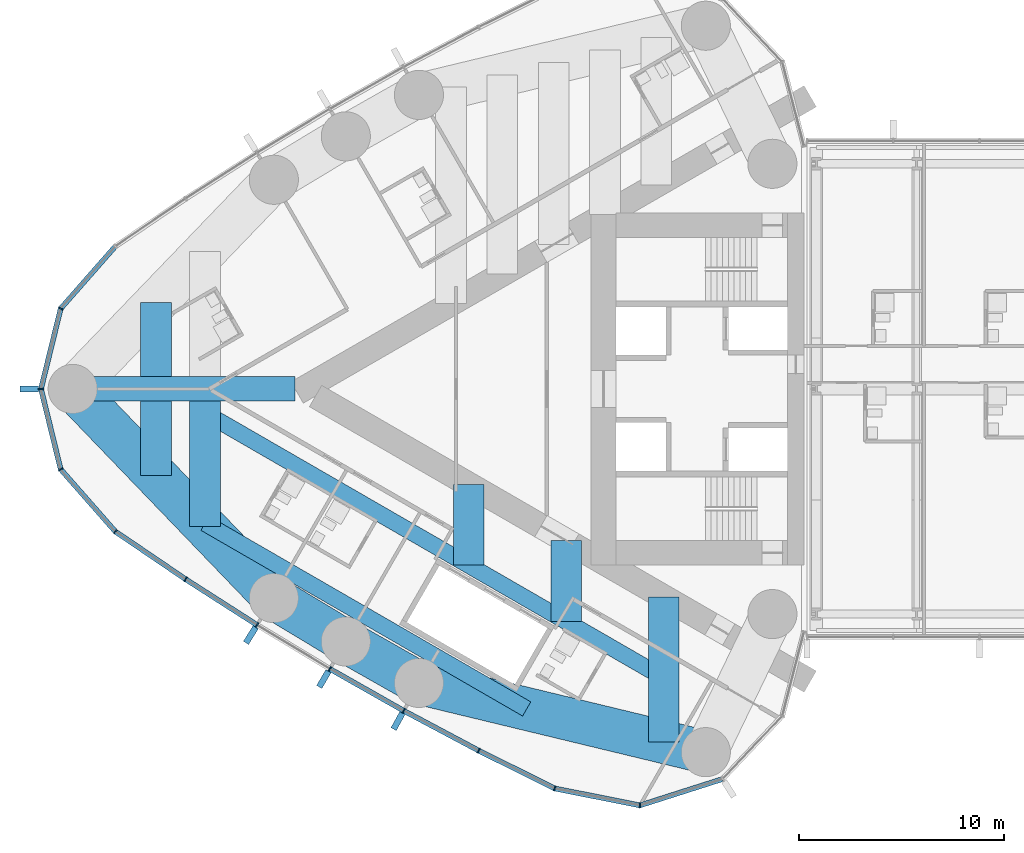
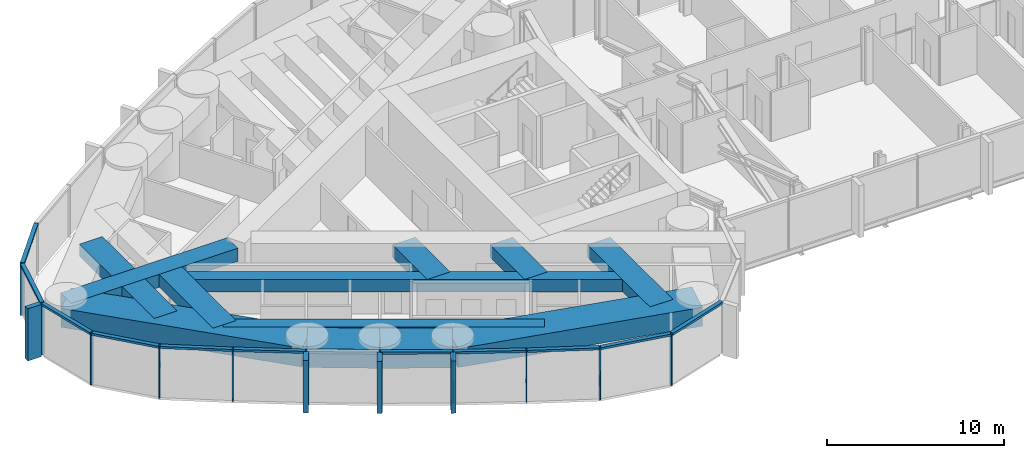
# One storey, part 2 of 22: 26 members, 13 beams, 1 element without a shape of its own.
"""IFC4 building model written with IfcOpenShell, lengths in metres."""

from ifc_helpers import new_model, si_unit, direction, frame, origin, origin_2d, place, context, subcontext, project, spatial, rectangle, hollow_rectangle, extrude, material, material_profile, profile_set, type_object, element, aggregate, save


model = new_model("IFC4")

# Units and contexts
model_context = context("Model", 3, precision=1e-05, world=origin(), true_north=direction((0.0, 1.0)))
body_context = subcontext(model_context, "Body", "Model", "MODEL_VIEW")
ifc_project = project(units=[si_unit("LENGTHUNIT", "METRE"), si_unit("AREAUNIT", "SQUARE_METRE"), si_unit("VOLUMEUNIT", "CUBIC_METRE"), si_unit("PLANEANGLEUNIT", "RADIAN"), si_unit("MASSUNIT", "GRAM", prefix="KILO")], contexts=[model_context])

# Site, building, storey
site_placement = place(None, origin())
site = spatial("IfcSite", under=ifc_project, at=site_placement, CompositionType="ELEMENT")
building_placement = place(site_placement, origin())
building = spatial("IfcBuilding", under=site, at=building_placement, Name="Lancet Gate Hotel", CompositionType="ELEMENT")
storey_placement = place(building_placement, frame((0.0, 0.0, 229.699951171875)))
storey = spatial("IfcBuildingStorey", under=building, at=storey_placement, Name="L61", CompositionType="ELEMENT", Elevation=229.699951171875)

# Curtain wall, members
ifc_material_1 = material(Name="Aluminium curtain wall", Category="aluminium")
curtain_wall_type = type_object("IfcCurtainWallType", Name="Tower unitised curtain wall", PredefinedType="USERDEFINED", material=ifc_material_1)
curtain_wall_placement = place(storey_placement, origin())
curtain_wall = element("IfcCurtainWall", 1, at=curtain_wall_placement, inside=storey, type_object=curtain_wall_type, Name="T1 L61 curtain wall 1", ObjectType="UNITISED CURTAIN WALL", PredefinedType="USERDEFINED")
ifc_material_2 = material(Name="Aluminium mullion", Category="aluminium")
ifc_material_profile_1 = material_profile(ifc_material_2, rectangle(XDim=0.06494140625, YDim=0.25, at=origin_2d()), Name="MULLION 65x250")
ifc_profile_set_1 = profile_set([ifc_material_profile_1], Name="Aluminium mullion")
member_type_1 = type_object("IfcMemberType", Name="Aluminium mullion 65x250", PredefinedType="MULLION", material=ifc_profile_set_1)
member_1_placement = place(storey_placement, frame((-63.822021484375, 3.928466796875, 0.0), z_axis=(0.0, 0.0, 1.0), x_axis=(-0.46217799743, -0.886787177789, 0.0)))
member_1 = element("IfcMember", 2, at=member_1_placement, type_object=member_type_1, Name="T1 L61 curtain wall 1 mullion 12", PredefinedType="MULLION", context=body_context, shape_type="SweptSolid", body=[
    extrude(rectangle(XDim=0.06494140625, YDim=0.25, at=origin_2d()), origin(), (0.0, 0.0, 1.0), 3.60009765625),
])
member_2_placement = place(storey_placement, frame((-64.7841796875, 0.0, 0.0), z_axis=(0.0, 0.0, 1.0), x_axis=(0.0, -1.0, 0.0)))
member_2 = element("IfcMember", 3, at=member_2_placement, type_object=member_type_1, Name="T1 L61 curtain wall 1 mullion 13", PredefinedType="MULLION", context=body_context, shape_type="SweptSolid", body=[
    extrude(rectangle(XDim=0.06494140625, YDim=0.25, at=origin_2d()), origin(), (0.0, 0.0, 1.0), 3.60009765625),
])
member_3_placement = place(storey_placement, frame((-63.822021484375, -3.928466796875, 0.0), z_axis=(0.0, 0.0, 1.0), x_axis=(0.46217799743, -0.886787177789, 0.0)))
member_3 = element("IfcMember", 4, at=member_3_placement, type_object=member_type_1, Name="T1 L61 curtain wall 1 mullion 14", PredefinedType="MULLION", context=body_context, shape_type="SweptSolid", body=[
    extrude(rectangle(XDim=0.06494140625, YDim=0.25, at=origin_2d()), origin(), (0.0, 0.0, 1.0), 3.60009765625),
])
member_4_placement = place(storey_placement, frame((-61.15283203125, -6.967529296875, 0.0), z_axis=(0.0, 0.0, 1.0), x_axis=(0.750715604757, -0.660625522345, 0.0)))
member_4 = element("IfcMember", 5, at=member_4_placement, type_object=member_type_1, Name="T1 L61 curtain wall 1 mullion 15", PredefinedType="MULLION", context=body_context, shape_type="SweptSolid", body=[
    extrude(rectangle(XDim=0.06494140625, YDim=0.25, at=origin_2d()), origin(), (0.0, 0.0, 1.0), 3.60009765625),
])
member_5_placement = place(storey_placement, frame((-57.72021484375, -9.298095703125, 0.0), z_axis=(0.0, 0.0, 1.0), x_axis=(0.834827178542, -0.550512108829, 0.0)))
member_5 = element("IfcMember", 6, at=member_5_placement, type_object=member_type_1, Name="T1 L61 curtain wall 1 mullion 16", PredefinedType="MULLION", context=body_context, shape_type="SweptSolid", body=[
    extrude(rectangle(XDim=0.06494140625, YDim=0.25, at=origin_2d()), origin(), (0.0, 0.0, 1.0), 3.60009765625),
])
member_6_placement = place(storey_placement, frame((-54.225830078125, -11.535400390625, 0.0), z_axis=(0.0, 0.0, 1.0), x_axis=(0.849342388216, -0.527842313176, 0.0)))
member_6 = element("IfcMember", 7, at=member_6_placement, type_object=member_type_1, Name="T1 L61 curtain wall 1 mullion 17", PredefinedType="MULLION", context=body_context, shape_type="SweptSolid", body=[
    extrude(rectangle(XDim=0.06494140625, YDim=0.25, at=origin_2d()), origin(), (0.0, 0.0, 1.0), 3.60009765625),
])
member_7_placement = place(storey_placement, frame((-50.67236328125, -13.677978515625, 0.0), z_axis=(0.0, 0.0, 1.0), x_axis=(0.863242155108, -0.504790037189, 0.0)))
member_7 = element("IfcMember", 8, at=member_7_placement, type_object=member_type_1, Name="T1 L61 curtain wall 1 mullion 18", PredefinedType="MULLION", context=body_context, shape_type="SweptSolid", body=[
    extrude(rectangle(XDim=0.06494140625, YDim=0.25, at=origin_2d()), origin(), (0.0, 0.0, 1.0), 3.60009765625),
])
member_8_placement = place(storey_placement, frame((-47.062744140625, -15.72412109375, 0.0), z_axis=(0.0, 0.0, 1.0), x_axis=(0.876516407283, -0.481371984815, 0.0)))
member_8 = element("IfcMember", 9, at=member_8_placement, type_object=member_type_1, Name="T1 L61 curtain wall 1 mullion 19", PredefinedType="MULLION", context=body_context, shape_type="SweptSolid", body=[
    extrude(rectangle(XDim=0.06494140625, YDim=0.25, at=origin_2d()), origin(), (0.0, 0.0, 1.0), 3.60009765625),
])
member_9_placement = place(storey_placement, frame((-43.3994140625, -17.67236328125, 0.0), z_axis=(0.0, 0.0, 1.0), x_axis=(0.889155526065, -0.457605125046, 0.0)))
member_9 = element("IfcMember", 10, at=member_9_placement, type_object=member_type_1, Name="T1 L61 curtain wall 1 mullion 20", PredefinedType="MULLION", context=body_context, shape_type="SweptSolid", body=[
    extrude(rectangle(XDim=0.06494140625, YDim=0.25, at=origin_2d()), origin(), (0.0, 0.0, 1.0), 3.60009765625),
])
member_10_placement = place(storey_placement, frame((-39.684814453125, -19.521240234375, 0.0), z_axis=(0.0, 0.0, 1.0), x_axis=(0.946887706423, -0.321564412561, 0.0)))
member_10 = element("IfcMember", 11, at=member_10_placement, type_object=member_type_1, Name="T1 L61 curtain wall 1 mullion 21", PredefinedType="MULLION", context=body_context, shape_type="SweptSolid", body=[
    extrude(rectangle(XDim=0.06494140625, YDim=0.25, at=origin_2d()), origin(), (0.0, 0.0, 1.0), 3.60009765625),
])
member_11_placement = place(storey_placement, frame((-35.520751953125, -20.347900390625, 0.0), z_axis=(0.0, 0.0, 1.0), x_axis=(0.998409168318, 0.056383797491, 0.0)))
member_11 = element("IfcMember", 12, at=member_11_placement, type_object=member_type_1, Name="T1 L61 curtain wall 1 mullion 22", PredefinedType="MULLION", context=body_context, shape_type="SweptSolid", body=[
    extrude(rectangle(XDim=0.06494140625, YDim=0.25, at=origin_2d()), origin(), (0.0, 0.0, 1.0), 3.60009765625),
])
ifc_material_3 = material(Name="Aluminium transom", Category="aluminium")
ifc_material_profile_2 = material_profile(ifc_material_3, rectangle(XDim=0.25, YDim=0.14990234375, at=origin_2d()), Name="TRANSOM 250x150")
ifc_profile_set_2 = profile_set([ifc_material_profile_2], Name="Aluminium transom")
member_type_2 = type_object("IfcMemberType", Name="Aluminium transom 250x150", PredefinedType="USERDEFINED", material=ifc_profile_set_2)
member_12_placement = place(storey_placement, frame((-61.17431640625, 6.943115234375, 3.525146484375), z_axis=(-0.659893258593, -0.751359359603, 0.0), x_axis=(0.751359359603, -0.659893258593, 0.0)))
member_12 = element("IfcMember", 13, at=member_12_placement, type_object=member_type_2, Name="T1 L61 curtain wall 1 transom 11", ObjectType="TRANSOM", PredefinedType="USERDEFINED", context=body_context, shape_type="SweptSolid", body=[
    extrude(rectangle(XDim=0.25, YDim=0.14990234375, at=origin_2d()), origin(), (0.0, 0.0, 1.0), 3.979736328125),
])
member_13_placement = place(storey_placement, frame((-63.829833984375, 3.89697265625, 3.525146484375), z_axis=(-0.237899438372, -0.971289790548, 0.0), x_axis=(0.971289790548, -0.237899438372, 0.0)))
member_13 = element("IfcMember", 14, at=member_13_placement, type_object=member_type_2, Name="T1 L61 curtain wall 1 transom 12", ObjectType="TRANSOM", PredefinedType="USERDEFINED", context=body_context, shape_type="SweptSolid", body=[
    extrude(rectangle(XDim=0.25, YDim=0.14990234375, at=origin_2d()), origin(), (0.0, 0.0, 1.0), 3.979736328125),
])
member_14_placement = place(storey_placement, frame((-64.776611328125, -0.031494140625, 3.525146484375), z_axis=(0.237899438372, -0.971289790548, 0.0), x_axis=(0.971289790548, 0.237899438372, 0.0)))
member_14 = element("IfcMember", 15, at=member_14_placement, type_object=member_type_2, Name="T1 L61 curtain wall 1 transom 13", ObjectType="TRANSOM", PredefinedType="USERDEFINED", context=body_context, shape_type="SweptSolid", body=[
    extrude(rectangle(XDim=0.25, YDim=0.14990234375, at=origin_2d()), origin(), (0.0, 0.0, 1.0), 3.979736328125),
])
member_15_placement = place(storey_placement, frame((-63.800537109375, -3.952880859375, 3.525146484375), z_axis=(0.659893258593, -0.751359359603, 0.0), x_axis=(0.751359359603, 0.659893258593, 0.0)))
member_15 = element("IfcMember", 16, at=member_15_placement, type_object=member_type_2, Name="T1 L61 curtain wall 1 transom 14", ObjectType="TRANSOM", PredefinedType="USERDEFINED", context=body_context, shape_type="SweptSolid", body=[
    extrude(rectangle(XDim=0.25, YDim=0.14990234375, at=origin_2d()), origin(), (0.0, 0.0, 1.0), 3.979736328125),
])
member_16_placement = place(storey_placement, frame((-61.1259765625, -6.98583984375, 3.525146484375), z_axis=(0.827348780456, -0.561688521761, 0.0), x_axis=(0.561688521761, 0.827348780456, 0.0)))
member_16 = element("IfcMember", 17, at=member_16_placement, type_object=member_type_2, Name="T1 L61 curtain wall 1 transom 15", ObjectType="TRANSOM", PredefinedType="USERDEFINED", context=body_context, shape_type="SweptSolid", body=[
    extrude(rectangle(XDim=0.25, YDim=0.14990234375, at=origin_2d()), origin(), (0.0, 0.0, 1.0), 4.083984375),
])
member_17_placement = place(storey_placement, frame((-57.692626953125, -9.315673828125, 3.525146484375), z_axis=(0.842144358733, -0.539252147937, 0.0), x_axis=(0.539252147937, 0.842144358733, 0.0)))
member_17 = element("IfcMember", 18, at=member_17_placement, type_object=member_type_2, Name="T1 L61 curtain wall 1 transom 16", ObjectType="TRANSOM", PredefinedType="USERDEFINED", context=body_context, shape_type="SweptSolid", body=[
    extrude(rectangle(XDim=0.25, YDim=0.14990234375, at=origin_2d()), origin(), (0.0, 0.0, 1.0), 4.084228515625),
])
member_18_placement = place(storey_placement, frame((-50.644287109375, -13.694091796875, 3.525146484375), z_axis=(0.869977740049, -0.493090997503, 0.0), x_axis=(0.493090997503, 0.869977740049, 0.0)))
member_18 = element("IfcMember", 19, at=member_18_placement, type_object=member_type_2, Name="T1 L61 curtain wall 1 transom 18", ObjectType="TRANSOM", PredefinedType="USERDEFINED", context=body_context, shape_type="SweptSolid", body=[
    extrude(rectangle(XDim=0.25, YDim=0.14990234375, at=origin_2d()), origin(), (0.0, 0.0, 1.0), 4.084228515625),
])
member_19_placement = place(storey_placement, frame((-47.0341796875, -15.739501953125, 3.525146484375), z_axis=(0.882944619844, -0.469477154171, 0.0), x_axis=(0.469477154171, 0.882944619844, 0.0)))
member_19 = element("IfcMember", 20, at=member_19_placement, type_object=member_type_2, Name="T1 L61 curtain wall 1 transom 19", ObjectType="TRANSOM", PredefinedType="USERDEFINED", context=body_context, shape_type="SweptSolid", body=[
    extrude(rectangle(XDim=0.25, YDim=0.14990234375, at=origin_2d()), origin(), (0.0, 0.0, 1.0), 4.084228515625),
])
member_20_placement = place(storey_placement, frame((-43.370361328125, -17.686767578125, 3.525146484375), z_axis=(0.895226720479, -0.445610950202, 0.0), x_axis=(0.445610950202, 0.895226720479, 0.0)))
member_20 = element("IfcMember", 21, at=member_20_placement, type_object=member_type_2, Name="T1 L61 curtain wall 1 transom 20", ObjectType="TRANSOM", PredefinedType="USERDEFINED", context=body_context, shape_type="SweptSolid", body=[
    extrude(rectangle(XDim=0.25, YDim=0.14990234375, at=origin_2d()), origin(), (0.0, 0.0, 1.0), 4.08447265625),
])
member_21_placement = place(storey_placement, frame((-39.65283203125, -19.527587890625, 3.525146484375), z_axis=(0.980858234867, -0.194723196085, 0.0), x_axis=(0.194723196085, 0.980858234867, 0.0)))
member_21 = element("IfcMember", 22, at=member_21_placement, type_object=member_type_2, Name="T1 L61 curtain wall 1 transom 21", ObjectType="TRANSOM", PredefinedType="USERDEFINED", context=body_context, shape_type="SweptSolid", body=[
    extrude(rectangle(XDim=0.25, YDim=0.14990234375, at=origin_2d()), origin(), (0.0, 0.0, 1.0), 4.18017578125),
])
member_22_placement = place(storey_placement, frame((-35.48974609375, -20.338134765625, 3.525146484375), z_axis=(0.952697713775, 0.303919506068, 0.0), x_axis=(-0.303919506068, 0.952697713775, 0.0)))
member_22 = element("IfcMember", 23, at=member_22_placement, type_object=member_type_2, Name="T1 L61 curtain wall 1 transom 22", ObjectType="TRANSOM", PredefinedType="USERDEFINED", context=body_context, shape_type="SweptSolid", body=[
    extrude(rectangle(XDim=0.25, YDim=0.14990234375, at=origin_2d()), origin(), (0.0, 0.0, 1.0), 4.180419921875),
])

# Beams
ifc_material_4 = material(Name="Concrete C50/60", Category="concrete")
ifc_material_profile_3 = material_profile(ifc_material_4, rectangle(XDim=2.10009765625, YDim=1.300048828125, at=origin_2d()), Name="RC 2100x1300")
ifc_profile_set_3 = profile_set([ifc_material_profile_3], Name="Concrete C50/60")
beam_type_1 = type_object("IfcBeamType", Name="Edge beam RC 2100x1300", PredefinedType="SPANDREL", material=ifc_profile_set_3)
beam_1_placement = place(storey_placement, frame((-63.234375, 0.0, 2.699951171875), z_axis=(0.693134527053, -0.720808245934, 0.0), x_axis=(0.720808245934, 0.693134527053, 0.0)))
element("IfcBeam", 24, at=beam_1_placement, inside=storey, type_object=beam_type_1, Name="T1 edge beam EB1 L61", PredefinedType="SPANDREL", context=body_context, shape_type="SweptSolid", body=[
    extrude(rectangle(XDim=2.10009765625, YDim=1.300048828125, at=origin_2d()), origin(), (0.0, 0.0, 1.0), 14.17724609375),
])
for number, where, z_axis, x_axis, name in (
    (25, (-53.40771484375, -10.218994140625, 2.699951171875), (0.856358061538, -0.516382484636, 0.0), (0.516382484636, 0.856358061538, 0.0), "T1 edge beam EB1 L61"),
    (26, (-49.89013671875, -12.340087890625, 2.699951171875), (0.869978841992, -0.493089053301, 0.0), (0.493089053301, 0.869978841992, 0.0), "T1 edge beam EB1 L61"),
):
    element("IfcBeam", number, at=place(storey_placement, frame(where, z_axis=z_axis, x_axis=x_axis)), inside=storey, type_object=beam_type_1, Name=name, PredefinedType="SPANDREL", context=body_context, shape_type="SweptSolid", body=[
        extrude(rectangle(XDim=2.10009765625, YDim=1.300048828125, at=origin_2d()), origin(), (0.0, 0.0, 1.0), 4.107666015625),
    ])
beam_2_placement = place(storey_placement, frame((-46.316650390625, -14.365478515625, 2.699951171875), z_axis=(0.972132796948, -0.234430853556, 0.0), x_axis=(0.234430853556, 0.972132796948, 0.0)))
element("IfcBeam", 27, at=beam_2_placement, inside=storey, type_object=beam_type_1, Name="T1 edge beam EB1 L61", PredefinedType="SPANDREL", context=body_context, shape_type="SweptSolid", body=[
    extrude(rectangle(XDim=2.10009765625, YDim=1.300048828125, at=origin_2d()), origin(), (0.0, 0.0, 1.0), 14.41748046875),
])

# Member
ifc_material_5 = material(Name="Precast concrete C50/60", Category="concrete")
ifc_material_profile_4 = material_profile(ifc_material_5, rectangle(XDim=0.300048828125, YDim=0.89990234375, at=origin_2d()), Name="FIN 300x900")
ifc_profile_set_4 = profile_set([ifc_material_profile_4], Name="Precast concrete C50/60")
member_type_3 = type_object("IfcMemberType", Name="Exposed concrete fin 300x900", PredefinedType="USERDEFINED", material=ifc_profile_set_4)
member_23_placement = place(storey_placement, frame((-65.359375, 0.0, 0.0), z_axis=(0.0, 0.0, 1.0), x_axis=(0.0, -1.0, 0.0)))
member_23 = element("IfcMember", 28, at=member_23_placement, type_object=member_type_3, Name="T1 L61 curtain wall 1 fin 13", ObjectType="FIN", PredefinedType="USERDEFINED", context=body_context, shape_type="SweptSolid", body=[
    extrude(rectangle(XDim=0.300048828125, YDim=0.89990234375, at=origin_2d()), origin(), (0.0, 0.0, 1.0), 3.60009765625),
])

member_24_placement = place(storey_placement, frame((-54.529296875, -12.02392578125, 0.0), z_axis=(0.0, 0.0, 1.0), x_axis=(0.849342388216, -0.527842313176, 0.0)))
member_24 = element("IfcMember", 29, at=member_24_placement, type_object=member_type_3, Name="T1 L61 curtain wall 1 fin 17", ObjectType="FIN", PredefinedType="USERDEFINED", context=body_context, shape_type="SweptSolid", body=[
    extrude(rectangle(XDim=0.300048828125, YDim=0.89990234375, at=origin_2d()), origin(), (0.0, 0.0, 1.0), 3.60009765625),
])

member_25_placement = place(storey_placement, frame((-50.962646484375, -14.17431640625, 0.0), z_axis=(0.0, 0.0, 1.0), x_axis=(0.863242155108, -0.504790037189, 0.0)))
member_25 = element("IfcMember", 30, at=member_25_placement, type_object=member_type_3, Name="T1 L61 curtain wall 1 fin 18", ObjectType="FIN", PredefinedType="USERDEFINED", context=body_context, shape_type="SweptSolid", body=[
    extrude(rectangle(XDim=0.300048828125, YDim=0.89990234375, at=origin_2d()), origin(), (0.0, 0.0, 1.0), 3.60009765625),
])

member_26_placement = place(storey_placement, frame((-47.339599609375, -16.22802734375, 0.0), z_axis=(0.0, 0.0, 1.0), x_axis=(0.876516407283, -0.481371984815, 0.0)))
member_26 = element("IfcMember", 31, at=member_26_placement, type_object=member_type_3, Name="T1 L61 curtain wall 1 fin 19", ObjectType="FIN", PredefinedType="USERDEFINED", context=body_context, shape_type="SweptSolid", body=[
    extrude(rectangle(XDim=0.300048828125, YDim=0.89990234375, at=origin_2d()), origin(), (0.0, 0.0, 1.0), 3.60009765625),
])

aggregate(curtain_wall, [member_1, member_2, member_23, member_3, member_4, member_5, member_6, member_24, member_7, member_25, member_8, member_26, member_9, member_10, member_11, member_12, member_13, member_14, member_15, member_16, member_17, member_18, member_19, member_20, member_21, member_22])

# Beams
ifc_material_6 = material(Name="Concrete C50/60", Category="concrete")
ifc_material_profile_5 = material_profile(ifc_material_6, rectangle(XDim=1.5, YDim=0.85009765625, at=origin_2d()), Name="RC 1500x850")
ifc_profile_set_5 = profile_set([ifc_material_profile_5], Name="Concrete C50/60")
beam_type_2 = type_object("IfcBeamType", Name="Floor beam RC 1500x850", PredefinedType="BEAM", material=ifc_profile_set_5)
beam_3_placement = place(storey_placement, frame((-34.353515625, -10.169921875, 2.925048828125), z_axis=(0.0, -1.0, 0.0), x_axis=(1.0, 0.0, 0.0)))
element("IfcBeam", 32, at=beam_3_placement, inside=storey, type_object=beam_type_2, Name="T1 floor beam F01N L61", PredefinedType="BEAM", context=body_context, shape_type="SweptSolid", body=[
    extrude(rectangle(XDim=1.5, YDim=0.85009765625, at=origin_2d()), origin(), (0.0, 0.0, 1.0), 7.08056640625),
])
beam_4_placement = place(storey_placement, frame((-56.768310546875, -0.60009765625, 2.925048828125), z_axis=(0.0, -1.0, 0.0), x_axis=(1.0, 0.0, 0.0)))
element("IfcBeam", 33, at=beam_4_placement, inside=storey, type_object=beam_type_2, Name="T1 floor beam F10N L61", PredefinedType="BEAM", context=body_context, shape_type="SweptSolid", body=[
    extrude(rectangle(XDim=1.5, YDim=0.85009765625, at=origin_2d()), origin(), (0.0, 0.0, 1.0), 6.1240234375),
])
for number, where, z_axis, x_axis, name in (
    (34, (-59.168212890625, 4.228271484375, 2.925048828125), (0.0, -1.0, 0.0), (1.0, 0.0, 0.0), "T1 floor beam F11S L61"),
    (35, (-59.168212890625, -0.60009765625, 2.925048828125), (0.0, -1.0, 0.0), (1.0, 0.0, 0.0), "T1 floor beam F12N L61"),
):
    element("IfcBeam", number, at=place(storey_placement, frame(where, z_axis=z_axis, x_axis=x_axis)), inside=storey, type_object=beam_type_2, Name=name, PredefinedType="BEAM", context=body_context, shape_type="SweptSolid", body=[
        extrude(rectangle(XDim=1.5, YDim=0.85009765625, at=origin_2d()), origin(), (0.0, 0.0, 1.0), 3.628173828125),
    ])
for number, where, z_axis, x_axis, name in (
    (36, (-39.122314453125, -7.41650390625, 2.925048828125), (0.0, -1.0, 0.0), (1.0, 0.0, 0.0), "T1 floor beam F04NA L61"),
    (37, (-43.891357421875, -4.663330078125, 2.925048828125), (0.0, -1.0, 0.0), (1.0, 0.0, 0.0), "T1 floor beam F07NA L61"),
):
    element("IfcBeam", number, at=place(storey_placement, frame(where, z_axis=z_axis, x_axis=x_axis)), inside=storey, type_object=beam_type_2, Name=name, PredefinedType="BEAM", context=body_context, shape_type="SweptSolid", body=[
        extrude(rectangle(XDim=1.5, YDim=0.85009765625, at=origin_2d()), origin(), (0.0, 0.0, 1.0), 3.945556640625),
    ])
ifc_material_7 = material(Name="Concrete C50/60", Category="concrete")
ifc_material_profile_6 = material_profile(ifc_material_7, rectangle(XDim=1.199951171875, YDim=0.89990234375, at=origin_2d()), Name="RC 1200x900")
ifc_profile_set_6 = profile_set([ifc_material_profile_6], Name="Concrete C50/60")
beam_type_3 = type_object("IfcBeamType", Name="Radial floor beam RC 1200x900", PredefinedType="BEAM", material=ifc_profile_set_6)
beam_5_placement = place(storey_placement, frame((-63.234375, 0.0, 2.900146484375), z_axis=(1.0, 0.0, 0.0), x_axis=(0.0, 1.0, 0.0)))
element("IfcBeam", 38, at=beam_5_placement, inside=storey, type_object=beam_type_3, Name="T1 radial beam CA L61", PredefinedType="BEAM", context=body_context, shape_type="SweptSolid", body=[
    extrude(rectangle(XDim=1.199951171875, YDim=0.89990234375, at=origin_2d()), origin(), (0.0, 0.0, 1.0), 10.8662109375),
])
ifc_material_8 = material(Name="Steel S460QL", Category="steel")
ifc_material_profile_7 = material_profile(ifc_material_8, hollow_rectangle(XDim=0.800048828125, YDim=0.85009765625, WallThickness=0.080078125, at=origin_2d()), Name="BOX 850x800x80")
ifc_profile_set_7 = profile_set([ifc_material_profile_7], Name="Steel S460QL")
beam_type_4 = type_object("IfcBeamType", Name="Trimmer beam BOX 850x800x80", PredefinedType="BEAM", material=ifc_profile_set_7)
beam_6_placement = place(storey_placement, frame((-34.353515625, -14.115234375, 2.925048828125), z_axis=(-0.866038088301, 0.499978029129, 0.0), x_axis=(-0.499978029129, -0.866038088301, 0.0)))
element("IfcBeam", 39, at=beam_6_placement, inside=storey, type_object=beam_type_4, Name="T1 trimmer beam TR01N L61", PredefinedType="BEAM", context=body_context, shape_type="SweptSolid", body=[
    extrude(hollow_rectangle(XDim=0.800048828125, YDim=0.85009765625, WallThickness=0.080078125, at=origin_2d()), origin(), (0.0, 0.0, 1.0), 25.882080078125),
])
beam_7_placement = place(storey_placement, frame((-41.05322265625, -15.634765625, 2.925048828125), z_axis=(-0.866039732055, 0.499975181887, 0.0), x_axis=(-0.499975181887, -0.866039732055, 0.0)))
element("IfcBeam", 40, at=beam_7_placement, inside=storey, type_object=beam_type_4, Name="T1 trimmer beam TR02N L61", PredefinedType="BEAM", context=body_context, shape_type="SweptSolid", body=[
    extrude(hollow_rectangle(XDim=0.800048828125, YDim=0.85009765625, WallThickness=0.080078125, at=origin_2d()), origin(), (0.0, 0.0, 1.0), 18.14599609375),
])

save(model, "model.ifc")
